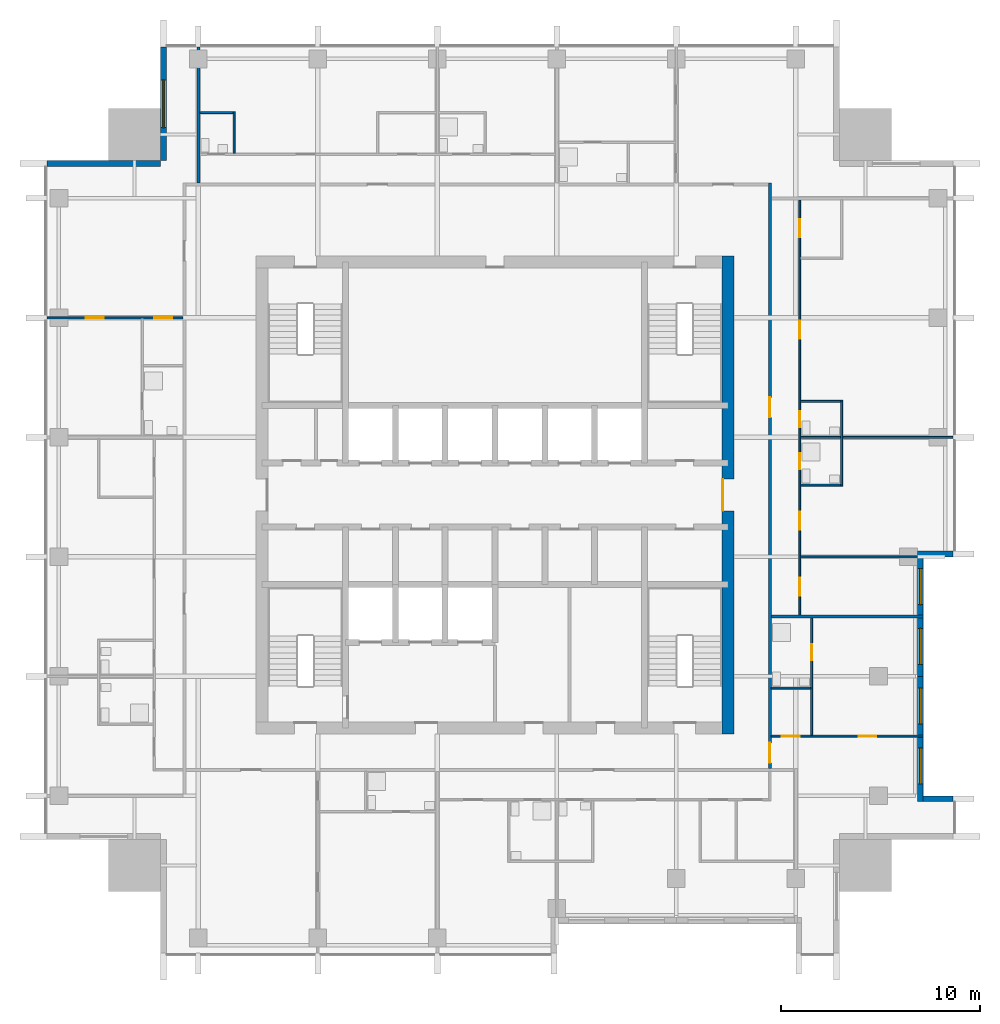
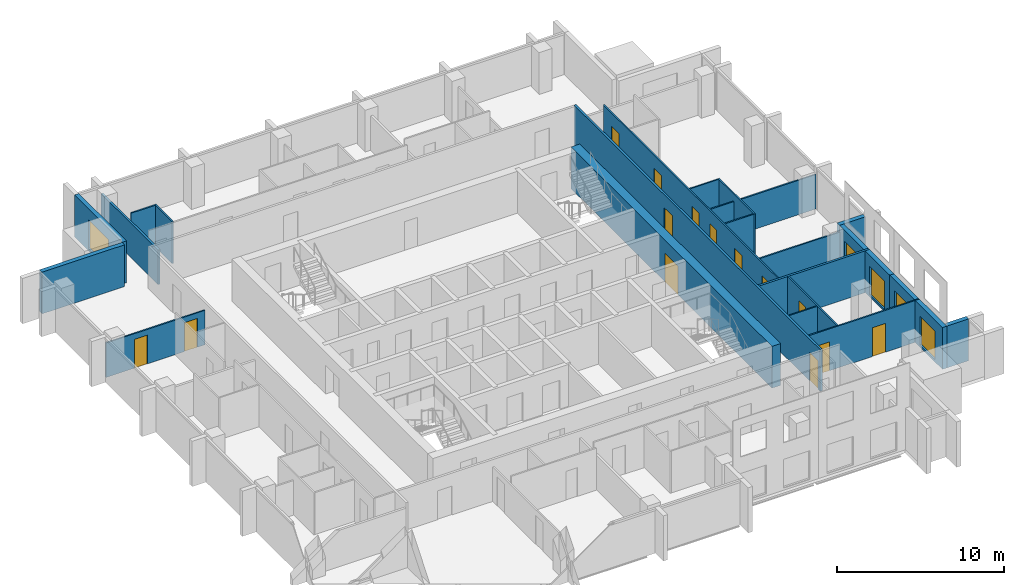
# One storey, part 6 of 11: 22 walls, 14 doors, 5 windows, 19 openings.
"""IFC4 building model written with IfcOpenShell, lengths in metres."""

from ifc_helpers import new_model, si_unit, direction, frame, frame_2d, origin, place, context, subcontext, project, spatial, rectangle, extrude, material, layer, layer_set, type_object, element, fill, save


model = new_model("IFC4")

# Units and contexts
model_context = context("Model", 3, precision=1e-05, world=origin(), true_north=direction((0.0, 1.0)))
body_context = subcontext(model_context, "Body", "Model", "MODEL_VIEW")
ifc_project = project(units=[si_unit("LENGTHUNIT", "METRE"), si_unit("AREAUNIT", "SQUARE_METRE"), si_unit("VOLUMEUNIT", "CUBIC_METRE"), si_unit("PLANEANGLEUNIT", "RADIAN"), si_unit("MASSUNIT", "GRAM", prefix="KILO")], contexts=[model_context])

# Site, building, storey
site_placement = place(None, origin())
site = spatial("IfcSite", under=ifc_project, at=site_placement, CompositionType="ELEMENT")
building_placement = place(site_placement, origin())
building = spatial("IfcBuilding", under=site, at=building_placement, Name="Amberfall Residences", CompositionType="ELEMENT")
storey_placement = place(building_placement, frame((0.0, 0.0, 223.300048828125)))
storey = spatial("IfcBuildingStorey", under=building, at=storey_placement, Name="L60", CompositionType="ELEMENT", Elevation=223.300048828125)

# Walls
ifc_material_1 = material(Name="Pale stone cladding on insulated backing", Category="masonry")
ifc_layer_1 = layer(ifc_material_1, 0.300048828125)
ifc_layer_set_1 = layer_set([ifc_layer_1], Name="Bronze clad wall 300")
wall_type_1 = type_object("IfcWallType", Name="Bronze clad wall 300", PredefinedType="SOLIDWALL", material=ifc_layer_set_1)
wall_1_placement = place(storey_placement, frame((97.5, 30.25, 0.0), z_axis=(0.0, 0.0, 1.0), x_axis=(-1.0, 0.0, 0.0)))
element("IfcWall", 1, at=wall_1_placement, inside=storey, type_object=wall_type_1, Name="External wall L60 E", PredefinedType="SOLIDWALL", context=body_context, shape_type="SweptSolid", body=[
    extrude(rectangle(XDim=1.5, YDim=0.300048828125, at=frame_2d((0.75, 0.0))), origin(), (0.0, 0.0, 1.0), 3.050048828125),
])
wall_2_placement = place(storey_placement, frame((95.699951171875, 42.550048828125, 0.0), z_axis=(0.0, 0.0, 1.0), x_axis=(1.0, 0.0, 0.0)))
element("IfcWall", 2, at=wall_2_placement, inside=storey, type_object=wall_type_1, Name="External wall L60 E", PredefinedType="SOLIDWALL", context=body_context, shape_type="SweptSolid", body=[
    extrude(rectangle(XDim=1.800048828125, YDim=0.300048828125, at=frame_2d((0.89990234375, 0.0))), origin(), (0.0, 0.0, 1.0), 3.050048828125),
])

# Wall, opening, window
wall_3_placement = place(storey_placement, frame((57.85009765625, 68.0, 0.0), z_axis=(0.0, 0.0, 1.0), x_axis=(0.0, -1.0, 0.0)))
wall_3 = element("IfcWall", 3, at=wall_3_placement, inside=storey, type_object=wall_type_1, Name="External wall L60 NW", PredefinedType="SOLIDWALL", context=body_context, shape_type="SweptSolid", body=[
    extrude(rectangle(XDim=5.699951171875, YDim=0.300048828125, at=frame_2d((2.85009765625, 0.0))), origin(), (0.0, 0.0, 1.0), 3.050048828125),
])
opening_1_placement = place(wall_3_placement, frame((1.64990234375, 0.0, 0.14990234375)))
opening_1 = element("IfcOpeningElement", 4, at=opening_1_placement, cuts=wall_3, Name="Opening WN5", PredefinedType="OPENING", context=body_context, shape_type="SweptSolid", body=[
    extrude(rectangle(XDim=2.39990234375, YDim=2.10009765625, at=frame_2d((1.199951171875, 1.050048828125))), frame((0.0, 0.159912109375, 0.0), z_axis=(0.0, -1.0, 0.0), x_axis=(1.0, 0.0, 0.0)), (0.0, 0.0, 1.0), 0.320068359375),
])
ifc_material_2 = material(Name="Bronze aluminium framed glazing", Category="aluminium")
window_type_1 = type_object("IfcWindowType", Name="Glazed opening 2400 x 2100 bronze", PartitioningType="DOUBLE_PANEL_VERTICAL", PredefinedType="WINDOW", material=ifc_material_2)
window_1_placement = place(opening_1_placement, origin())
window_1 = element("IfcWindow", 5, at=window_1_placement, inside=storey, type_object=window_type_1, Name="Window L60 NW", OverallHeight=2.10009765625, OverallWidth=2.39990234375, PartitioningType="DOUBLE_PANEL_VERTICAL", PredefinedType="WINDOW", context=body_context, shape_type="SweptSolid", body=[
    extrude(rectangle(XDim=2.39990234375, YDim=2.10009765625, at=frame_2d((1.199951171875, 1.050048828125))), frame((0.0, 0.030029296875, 0.0), z_axis=(0.0, -1.0, 0.0), x_axis=(1.0, 0.0, 0.0)), (0.0, 0.0, 1.0), 0.06005859375),
])
fill(opening_1, window_1)

# Wall
wall_4_placement = place(storey_placement, frame((57.699951171875, 62.14990234375, 0.0), z_axis=(0.0, 0.0, 1.0), x_axis=(-1.0, 0.0, 0.0)))
element("IfcWall", 6, at=wall_4_placement, inside=storey, type_object=wall_type_1, Name="External wall L60 NW", PredefinedType="SOLIDWALL", context=body_context, shape_type="SweptSolid", body=[
    extrude(rectangle(XDim=5.699951171875, YDim=0.300048828125, at=frame_2d((2.85009765625, 0.0))), origin(), (0.0, 0.0, 1.0), 3.050048828125),
])

# Wall, openings, windows
wall_5_placement = place(storey_placement, frame((95.85009765625, 30.10009765625, 0.0), z_axis=(0.0, 0.0, 1.0), x_axis=(0.0, 1.0, 0.0)))
wall_5 = element("IfcWall", 7, at=wall_5_placement, inside=storey, type_object=wall_type_1, Name="Stone wall L60 E", PredefinedType="SOLIDWALL", context=body_context, shape_type="SweptSolid", body=[
    extrude(rectangle(XDim=6.2998046875, YDim=0.300048828125, at=frame_2d((3.14990234375, 0.0))), origin(), (0.0, 0.0, 1.0), 3.050048828125),
])
opening_2_placement = place(wall_5_placement, frame((0.89990234375, 0.0, 0.14990234375)))
opening_2 = element("IfcOpeningElement", 8, at=opening_2_placement, cuts=wall_5, Name="Opening WN6", PredefinedType="OPENING", context=body_context, shape_type="SweptSolid", body=[
    extrude(rectangle(XDim=1.800048828125, YDim=2.10009765625, at=frame_2d((0.89990234375, 1.050048828125))), frame((0.0, 0.159912109375, 0.0), z_axis=(0.0, -1.0, 0.0), x_axis=(1.0, 0.0, 0.0)), (0.0, 0.0, 1.0), 0.320068359375),
])
opening_3_placement = place(wall_5_placement, frame((3.89990234375, 0.0, 0.14990234375)))
opening_3 = element("IfcOpeningElement", 9, at=opening_3_placement, cuts=wall_5, Name="Opening WN6", PredefinedType="OPENING", context=body_context, shape_type="SweptSolid", body=[
    extrude(rectangle(XDim=1.800048828125, YDim=2.10009765625, at=frame_2d((0.89990234375, 1.050048828125))), frame((0.0, 0.159912109375, 0.0), z_axis=(0.0, -1.0, 0.0), x_axis=(1.0, 0.0, 0.0)), (0.0, 0.0, 1.0), 0.320068359375),
])
window_type_2 = type_object("IfcWindowType", Name="Glazed opening 1800 x 2100 bronze", PartitioningType="DOUBLE_PANEL_VERTICAL", PredefinedType="WINDOW", material=ifc_material_2)
window_2_placement = place(opening_2_placement, origin())
window_2 = element("IfcWindow", 10, at=window_2_placement, inside=storey, type_object=window_type_2, Name="Window L60 E", OverallHeight=2.10009765625, OverallWidth=1.800048828125, PartitioningType="DOUBLE_PANEL_VERTICAL", PredefinedType="WINDOW", context=body_context, shape_type="SweptSolid", body=[
    extrude(rectangle(XDim=1.800048828125, YDim=2.10009765625, at=frame_2d((0.89990234375, 1.050048828125))), frame((0.0, 0.030029296875, 0.0), z_axis=(0.0, -1.0, 0.0), x_axis=(1.0, 0.0, 0.0)), (0.0, 0.0, 1.0), 0.06005859375),
])
fill(opening_2, window_2)
window_3_placement = place(opening_3_placement, origin())
window_3 = element("IfcWindow", 11, at=window_3_placement, inside=storey, type_object=window_type_2, Name="Window L60 E", OverallHeight=2.10009765625, OverallWidth=1.800048828125, PartitioningType="DOUBLE_PANEL_VERTICAL", PredefinedType="WINDOW", context=body_context, shape_type="SweptSolid", body=[
    extrude(rectangle(XDim=1.800048828125, YDim=2.10009765625, at=frame_2d((0.89990234375, 1.050048828125))), frame((0.0, 0.030029296875, 0.0), z_axis=(0.0, -1.0, 0.0), x_axis=(1.0, 0.0, 0.0)), (0.0, 0.0, 1.0), 0.06005859375),
])
fill(opening_3, window_3)

wall_6_placement = place(storey_placement, frame((95.85009765625, 36.39990234375, 0.0), z_axis=(0.0, 0.0, 1.0), x_axis=(0.0, 1.0, 0.0)))
wall_6 = element("IfcWall", 12, at=wall_6_placement, inside=storey, type_object=wall_type_1, Name="Stone wall L60 E", PredefinedType="SOLIDWALL", context=body_context, shape_type="SweptSolid", body=[
    extrude(rectangle(XDim=6.0, YDim=0.300048828125, at=frame_2d((3.0, 0.0))), origin(), (0.0, 0.0, 1.0), 3.050048828125),
])
opening_4_placement = place(wall_6_placement, frame((0.60009765625, 0.0, 0.14990234375)))
opening_4 = element("IfcOpeningElement", 13, at=opening_4_placement, cuts=wall_6, Name="Opening WN6", PredefinedType="OPENING", context=body_context, shape_type="SweptSolid", body=[
    extrude(rectangle(XDim=1.800048828125, YDim=2.10009765625, at=frame_2d((0.89990234375, 1.050048828125))), frame((0.0, 0.159912109375, 0.0), z_axis=(0.0, -1.0, 0.0), x_axis=(1.0, 0.0, 0.0)), (0.0, 0.0, 1.0), 0.320068359375),
])
opening_5_placement = place(wall_6_placement, frame((3.60009765625, 0.0, 0.14990234375)))
opening_5 = element("IfcOpeningElement", 14, at=opening_5_placement, cuts=wall_6, Name="Opening WN6", PredefinedType="OPENING", context=body_context, shape_type="SweptSolid", body=[
    extrude(rectangle(XDim=1.800048828125, YDim=2.10009765625, at=frame_2d((0.89990234375, 1.050048828125))), frame((0.0, 0.159912109375, 0.0), z_axis=(0.0, -1.0, 0.0), x_axis=(1.0, 0.0, 0.0)), (0.0, 0.0, 1.0), 0.320068359375),
])
window_4_placement = place(opening_4_placement, origin())
window_4 = element("IfcWindow", 15, at=window_4_placement, inside=storey, type_object=window_type_2, Name="Window L60 E", OverallHeight=2.10009765625, OverallWidth=1.800048828125, PartitioningType="DOUBLE_PANEL_VERTICAL", PredefinedType="WINDOW", context=body_context, shape_type="SweptSolid", body=[
    extrude(rectangle(XDim=1.800048828125, YDim=2.10009765625, at=frame_2d((0.89990234375, 1.050048828125))), frame((0.0, 0.030029296875, 0.0), z_axis=(0.0, -1.0, 0.0), x_axis=(1.0, 0.0, 0.0)), (0.0, 0.0, 1.0), 0.06005859375),
])
fill(opening_4, window_4)
window_5_placement = place(opening_5_placement, origin())
window_5 = element("IfcWindow", 16, at=window_5_placement, inside=storey, type_object=window_type_2, Name="Window L60 E", OverallHeight=2.10009765625, OverallWidth=1.800048828125, PartitioningType="DOUBLE_PANEL_VERTICAL", PredefinedType="WINDOW", context=body_context, shape_type="SweptSolid", body=[
    extrude(rectangle(XDim=1.800048828125, YDim=2.10009765625, at=frame_2d((0.89990234375, 1.050048828125))), frame((0.0, 0.030029296875, 0.0), z_axis=(0.0, -1.0, 0.0), x_axis=(1.0, 0.0, 0.0)), (0.0, 0.0, 1.0), 0.06005859375),
])
fill(opening_5, window_5)

# Wall, opening, door
ifc_material_3 = material(Name="Concrete C55", Category="concrete")
ifc_layer_2 = layer(ifc_material_3, 0.60009765625)
ifc_layer_set_2 = layer_set([ifc_layer_2], Name="Core wall 600 C55")
wall_type_2 = type_object("IfcWallType", Name="Core wall 600 C55", PredefinedType="SHEAR", material=ifc_layer_set_2)
wall_7_placement = place(storey_placement, frame((86.199951171875, 33.5, 0.0), z_axis=(0.0, 0.0, 1.0), x_axis=(0.0, 1.0, 0.0)))
wall_7 = element("IfcWall", 17, at=wall_7_placement, inside=storey, type_object=wall_type_2, Name="Core wall RW7 L60 OE", PredefinedType="SHEAR", context=body_context, shape_type="SweptSolid", body=[
    extrude(rectangle(XDim=24.0, YDim=0.60009765625, at=frame_2d((12.0, 0.0))), origin(), (0.0, 0.0, 1.0), 3.050048828125),
])
opening_6_placement = place(wall_7_placement, frame((11.199951171875, 0.0, 0.0)))
opening_6 = element("IfcOpeningElement", 18, at=opening_6_placement, cuts=wall_7, Name="Opening LB1", PredefinedType="OPENING", context=body_context, shape_type="SweptSolid", body=[
    extrude(rectangle(XDim=1.60009765625, YDim=2.10009765625, at=frame_2d((0.800048828125, 1.050048828125))), frame((0.0, 0.31005859375, 0.0), z_axis=(0.0, -1.0, 0.0), x_axis=(1.0, 0.0, 0.0)), (0.0, 0.0, 1.0), 0.6201171875),
])
ifc_material_4 = material(Name="Steel fire door set", Category="steel")
door_type_1 = type_object("IfcDoorType", Name="Lift lobby double door 1600 x 2100", OperationType="DOUBLE_DOOR_SINGLE_SWING", PredefinedType="DOOR", material=ifc_material_4)
door_1_placement = place(opening_6_placement, origin())
door_1 = element("IfcDoor", 19, at=door_1_placement, inside=storey, type_object=door_type_1, Name="LB1 L60", OperationType="DOUBLE_DOOR_SINGLE_SWING", OverallHeight=2.10009765625, OverallWidth=1.60009765625, PredefinedType="DOOR", context=body_context, shape_type="SweptSolid", body=[
    extrude(rectangle(XDim=1.60009765625, YDim=2.10009765625, at=frame_2d((0.800048828125, 1.050048828125))), frame((0.0, 0.28759765625, 0.0), z_axis=(0.0, -1.0, 0.0), x_axis=(1.0, 0.0, 0.0)), (0.0, 0.0, 1.0), 0.050048828125),
])
fill(opening_6, door_1)

# Wall
ifc_material_5 = material(Name="Gypsum board on metal stud")
ifc_layer_3 = layer(ifc_material_5, 0.10009765625)
ifc_layer_set_3 = layer_set([ifc_layer_3], Name="Flat partition 100")
wall_type_3 = type_object("IfcWallType", Name="Flat partition 100", PredefinedType="PARTITIONING", material=ifc_layer_set_3)
wall_8_placement = place(storey_placement, frame((61.39990234375, 62.64990234375, 0.0), z_axis=(0.0, 0.0, 1.0), x_axis=(0.0, 1.0, 0.0)))
element("IfcWall", 20, at=wall_8_placement, inside=storey, type_object=wall_type_3, Name="Partition 005", PredefinedType="PARTITIONING", context=body_context, shape_type="SweptSolid", body=[
    extrude(rectangle(XDim=2.10009765625, YDim=0.10009765625, at=frame_2d((1.050048828125, 0.0))), origin(), (0.0, 0.0, 1.0), 3.050048828125),
])

# Wall, openings, doors
wall_9_placement = place(storey_placement, frame((89.800048828125, 60.324951171875, 0.0), z_axis=(0.0, 0.0, 1.0), x_axis=(0.0, -1.0, 0.0)))
wall_9 = element("IfcWall", 21, at=wall_9_placement, inside=storey, type_object=wall_type_3, Name="Partition 019", PredefinedType="PARTITIONING", context=body_context, shape_type="SweptSolid", body=[
    extrude(rectangle(XDim=20.849853515625, YDim=0.10009765625, at=frame_2d((10.4248046875, 0.0))), origin(), (0.0, 0.0, 1.0), 3.050048828125),
])
opening_7_placement = place(wall_9_placement, frame((6.074951171875, 0.0, 0.0)))
opening_7 = element("IfcOpeningElement", 22, at=opening_7_placement, cuts=wall_9, Name="Opening D41", PredefinedType="OPENING", context=body_context, shape_type="SweptSolid", body=[
    extrude(rectangle(XDim=0.89990234375, YDim=2.10009765625, at=frame_2d((0.449951171875, 1.050048828125))), frame((0.0, 0.06005859375, 0.0), z_axis=(0.0, -1.0, 0.0), x_axis=(1.0, 0.0, 0.0)), (0.0, 0.0, 1.0), 0.1201171875),
])
opening_8_placement = place(wall_9_placement, frame((0.97509765625, 0.0, 0.0)))
opening_8 = element("IfcOpeningElement", 23, at=opening_8_placement, cuts=wall_9, Name="Opening D41", PredefinedType="OPENING", context=body_context, shape_type="SweptSolid", body=[
    extrude(rectangle(XDim=0.89990234375, YDim=2.10009765625, at=frame_2d((0.449951171875, 1.050048828125))), frame((0.0, 0.06005859375, 0.0), z_axis=(0.0, -1.0, 0.0), x_axis=(1.0, 0.0, 0.0)), (0.0, 0.0, 1.0), 0.1201171875),
])
opening_9_placement = place(wall_9_placement, frame((10.625, 0.0, 0.0)))
opening_9 = element("IfcOpeningElement", 24, at=opening_9_placement, cuts=wall_9, Name="Opening D42", PredefinedType="OPENING", context=body_context, shape_type="SweptSolid", body=[
    extrude(rectangle(XDim=0.800048828125, YDim=2.10009765625, at=frame_2d((0.39990234375, 1.050048828125))), frame((0.0, 0.06005859375, 0.0), z_axis=(0.0, -1.0, 0.0), x_axis=(1.0, 0.0, 0.0)), (0.0, 0.0, 1.0), 0.1201171875),
])
opening_10_placement = place(wall_9_placement, frame((18.97509765625, 0.0, 0.0)))
opening_10 = element("IfcOpeningElement", 25, at=opening_10_placement, cuts=wall_9, Name="Opening D41", PredefinedType="OPENING", context=body_context, shape_type="SweptSolid", body=[
    extrude(rectangle(XDim=0.89990234375, YDim=2.10009765625, at=frame_2d((0.449951171875, 1.050048828125))), frame((0.0, 0.06005859375, 0.0), z_axis=(0.0, -1.0, 0.0), x_axis=(1.0, 0.0, 0.0)), (0.0, 0.0, 1.0), 0.1201171875),
])
opening_11_placement = place(wall_9_placement, frame((15.675048828125, 0.0, 0.0)))
opening_11 = element("IfcOpeningElement", 26, at=opening_11_placement, cuts=wall_9, Name="Opening D41", PredefinedType="OPENING", context=body_context, shape_type="SweptSolid", body=[
    extrude(rectangle(XDim=0.89990234375, YDim=2.10009765625, at=frame_2d((0.449951171875, 1.050048828125))), frame((0.0, 0.06005859375, 0.0), z_axis=(0.0, -1.0, 0.0), x_axis=(1.0, 0.0, 0.0)), (0.0, 0.0, 1.0), 0.1201171875),
])
opening_12_placement = place(wall_9_placement, frame((12.72509765625, 0.0, 0.0)))
opening_12 = element("IfcOpeningElement", 27, at=opening_12_placement, cuts=wall_9, Name="Opening D42", PredefinedType="OPENING", context=body_context, shape_type="SweptSolid", body=[
    extrude(rectangle(XDim=0.800048828125, YDim=2.10009765625, at=frame_2d((0.39990234375, 1.050048828125))), frame((0.0, 0.06005859375, 0.0), z_axis=(0.0, -1.0, 0.0), x_axis=(1.0, 0.0, 0.0)), (0.0, 0.0, 1.0), 0.1201171875),
])
ifc_material_6 = material(Name="Timber", Category="wood")
door_type_2 = type_object("IfcDoorType", Name="Bathroom door 800 x 2100", OperationType="SINGLE_SWING_LEFT", PredefinedType="DOOR", material=ifc_material_6)
door_2_placement = place(opening_9_placement, origin())
door_2 = element("IfcDoor", 28, at=door_2_placement, inside=storey, type_object=door_type_2, Name="Door 6004 wc1", OperationType="SINGLE_SWING_LEFT", OverallHeight=2.10009765625, OverallWidth=0.800048828125, PredefinedType="DOOR", context=body_context, shape_type="SweptSolid", body=[
    extrude(rectangle(XDim=0.800048828125, YDim=2.10009765625, at=frame_2d((0.39990234375, 1.050048828125))), frame((0.0, 0.02490234375, 0.0), z_axis=(0.0, -1.0, 0.0), x_axis=(1.0, 0.0, 0.0)), (0.0, 0.0, 1.0), 0.050048828125),
])
fill(opening_9, door_2)
door_3_placement = place(opening_12_placement, origin())
door_3 = element("IfcDoor", 29, at=door_3_placement, inside=storey, type_object=door_type_2, Name="Door 6004 bath1", OperationType="SINGLE_SWING_LEFT", OverallHeight=2.10009765625, OverallWidth=0.800048828125, PredefinedType="DOOR", context=body_context, shape_type="SweptSolid", body=[
    extrude(rectangle(XDim=0.800048828125, YDim=2.10009765625, at=frame_2d((0.39990234375, 1.050048828125))), frame((0.0, 0.02490234375, 0.0), z_axis=(0.0, -1.0, 0.0), x_axis=(1.0, 0.0, 0.0)), (0.0, 0.0, 1.0), 0.050048828125),
])
fill(opening_12, door_3)
door_type_3 = type_object("IfcDoorType", Name="Internal door 900 x 2100", OperationType="SINGLE_SWING_LEFT", PredefinedType="DOOR", material=ifc_material_6)
door_4_placement = place(opening_7_placement, origin())
door_4 = element("IfcDoor", 30, at=door_4_placement, inside=storey, type_object=door_type_3, Name="Door 6004 living", OperationType="SINGLE_SWING_LEFT", OverallHeight=2.10009765625, OverallWidth=0.89990234375, PredefinedType="DOOR", context=body_context, shape_type="SweptSolid", body=[
    extrude(rectangle(XDim=0.89990234375, YDim=2.10009765625, at=frame_2d((0.449951171875, 1.050048828125))), frame((0.0, 0.02490234375, 0.0), z_axis=(0.0, -1.0, 0.0), x_axis=(1.0, 0.0, 0.0)), (0.0, 0.0, 1.0), 0.050048828125),
])
fill(opening_7, door_4)
door_5_placement = place(opening_8_placement, origin())
door_5 = element("IfcDoor", 31, at=door_5_placement, inside=storey, type_object=door_type_3, Name="Door 6004 kitchen", OperationType="SINGLE_SWING_LEFT", OverallHeight=2.10009765625, OverallWidth=0.89990234375, PredefinedType="DOOR", context=body_context, shape_type="SweptSolid", body=[
    extrude(rectangle(XDim=0.89990234375, YDim=2.10009765625, at=frame_2d((0.449951171875, 1.050048828125))), frame((0.0, 0.02490234375, 0.0), z_axis=(0.0, -1.0, 0.0), x_axis=(1.0, 0.0, 0.0)), (0.0, 0.0, 1.0), 0.050048828125),
])
fill(opening_8, door_5)
door_6_placement = place(opening_10_placement, origin())
door_6 = element("IfcDoor", 32, at=door_6_placement, inside=storey, type_object=door_type_3, Name="Door 6004 bedroom1", OperationType="SINGLE_SWING_LEFT", OverallHeight=2.10009765625, OverallWidth=0.89990234375, PredefinedType="DOOR", context=body_context, shape_type="SweptSolid", body=[
    extrude(rectangle(XDim=0.89990234375, YDim=2.10009765625, at=frame_2d((0.449951171875, 1.050048828125))), frame((0.0, 0.02490234375, 0.0), z_axis=(0.0, -1.0, 0.0), x_axis=(1.0, 0.0, 0.0)), (0.0, 0.0, 1.0), 0.050048828125),
])
fill(opening_10, door_6)
door_7_placement = place(opening_11_placement, origin())
door_7 = element("IfcDoor", 33, at=door_7_placement, inside=storey, type_object=door_type_3, Name="Door 6004 bedroom2", OperationType="SINGLE_SWING_LEFT", OverallHeight=2.10009765625, OverallWidth=0.89990234375, PredefinedType="DOOR", context=body_context, shape_type="SweptSolid", body=[
    extrude(rectangle(XDim=0.89990234375, YDim=2.10009765625, at=frame_2d((0.449951171875, 1.050048828125))), frame((0.0, 0.02490234375, 0.0), z_axis=(0.0, -1.0, 0.0), x_axis=(1.0, 0.0, 0.0)), (0.0, 0.0, 1.0), 0.050048828125),
])
fill(opening_11, door_7)

# Wall, opening, door
wall_10_placement = place(storey_placement, frame((90.39990234375, 33.449951171875, 0.0), z_axis=(0.0, 0.0, 1.0), x_axis=(0.0, 1.0, 0.0)))
wall_10 = element("IfcWall", 34, at=wall_10_placement, inside=storey, type_object=wall_type_3, Name="Partition 020", PredefinedType="PARTITIONING", context=body_context, shape_type="SweptSolid", body=[
    extrude(rectangle(XDim=5.875, YDim=0.10009765625, at=frame_2d((2.9375, 0.0))), origin(), (0.0, 0.0, 1.0), 3.050048828125),
])
opening_13_placement = place(wall_10_placement, frame((3.75, 0.0, 0.0)))
opening_13 = element("IfcOpeningElement", 35, at=opening_13_placement, cuts=wall_10, Name="Opening D42", PredefinedType="OPENING", context=body_context, shape_type="SweptSolid", body=[
    extrude(rectangle(XDim=0.800048828125, YDim=2.10009765625, at=frame_2d((0.39990234375, 1.050048828125))), frame((0.0, 0.06005859375, 0.0), z_axis=(0.0, -1.0, 0.0), x_axis=(1.0, 0.0, 0.0)), (0.0, 0.0, 1.0), 0.1201171875),
])
door_8_placement = place(opening_13_placement, origin())
door_8 = element("IfcDoor", 36, at=door_8_placement, inside=storey, type_object=door_type_2, Name="Door 6003 bath1", OperationType="SINGLE_SWING_LEFT", OverallHeight=2.10009765625, OverallWidth=0.800048828125, PredefinedType="DOOR", context=body_context, shape_type="SweptSolid", body=[
    extrude(rectangle(XDim=0.800048828125, YDim=2.10009765625, at=frame_2d((0.39990234375, 1.050048828125))), frame((0.0, 0.02490234375, 0.0), z_axis=(0.0, -1.0, 0.0), x_axis=(1.0, 0.0, 0.0)), (0.0, 0.0, 1.0), 0.050048828125),
])
fill(opening_13, door_8)

# Walls
wall_11_placement = place(storey_placement, frame((91.89990234375, 45.949951171875, 0.0), z_axis=(0.0, 0.0, 1.0), x_axis=(0.0, 1.0, 0.0)))
element("IfcWall", 37, at=wall_11_placement, inside=storey, type_object=wall_type_3, Name="Partition 021", PredefinedType="PARTITIONING", context=body_context, shape_type="SweptSolid", body=[
    extrude(rectangle(XDim=4.300048828125, YDim=0.10009765625, at=frame_2d((2.14990234375, 0.0))), origin(), (0.0, 0.0, 1.0), 3.050048828125),
])
wall_12_placement = place(storey_placement, frame((59.675048828125, 64.699951171875, 0.0), z_axis=(0.0, 0.0, 1.0), x_axis=(1.0, 0.0, 0.0)))
element("IfcWall", 38, at=wall_12_placement, inside=storey, type_object=wall_type_3, Name="Partition 023", PredefinedType="PARTITIONING", context=body_context, shape_type="SweptSolid", body=[
    extrude(rectangle(XDim=1.675048828125, YDim=0.10009765625, at=frame_2d((0.83740234375, 0.0))), origin(), (0.0, 0.0, 1.0), 3.050048828125),
])

# Wall, openings, doors
wall_13_placement = place(storey_placement, frame((58.824951171875, 54.39990234375, 0.0), z_axis=(0.0, 0.0, 1.0), x_axis=(-1.0, 0.0, 0.0)))
wall_13 = element("IfcWall", 39, at=wall_13_placement, inside=storey, type_object=wall_type_3, Name="Partition 028", PredefinedType="PARTITIONING", context=body_context, shape_type="SweptSolid", body=[
    extrude(rectangle(XDim=6.824951171875, YDim=0.10009765625, at=frame_2d((3.41259765625, 0.0))), origin(), (0.0, 0.0, 1.0), 2.515869140625),
])
opening_14_placement = place(wall_13_placement, frame((0.52490234375, 0.0, 0.0)))
opening_14 = element("IfcOpeningElement", 40, at=opening_14_placement, cuts=wall_13, Name="Opening D41", PredefinedType="OPENING", context=body_context, shape_type="SweptSolid", body=[
    extrude(rectangle(XDim=0.89990234375, YDim=2.10009765625, at=frame_2d((0.449951171875, 1.050048828125))), frame((0.0, 0.06005859375, 0.0), z_axis=(0.0, -1.0, 0.0), x_axis=(1.0, 0.0, 0.0)), (0.0, 0.0, 1.0), 0.1201171875),
])
opening_15_placement = place(wall_13_placement, frame((3.97509765625, 0.0, 0.0)))
opening_15 = element("IfcOpeningElement", 41, at=opening_15_placement, cuts=wall_13, Name="Opening D41", PredefinedType="OPENING", context=body_context, shape_type="SweptSolid", body=[
    extrude(rectangle(XDim=0.89990234375, YDim=2.10009765625, at=frame_2d((0.449951171875, 1.050048828125))), frame((0.0, 0.06005859375, 0.0), z_axis=(0.0, -1.0, 0.0), x_axis=(1.0, 0.0, 0.0)), (0.0, 0.0, 1.0), 0.1201171875),
])
door_9_placement = place(opening_14_placement, origin())
door_9 = element("IfcDoor", 42, at=door_9_placement, inside=storey, type_object=door_type_3, Name="Door 6008 kitchen", OperationType="SINGLE_SWING_LEFT", OverallHeight=2.10009765625, OverallWidth=0.89990234375, PredefinedType="DOOR", context=body_context, shape_type="SweptSolid", body=[
    extrude(rectangle(XDim=0.89990234375, YDim=2.10009765625, at=frame_2d((0.449951171875, 1.050048828125))), frame((0.0, 0.02490234375, 0.0), z_axis=(0.0, -1.0, 0.0), x_axis=(1.0, 0.0, 0.0)), (0.0, 0.0, 1.0), 0.050048828125),
])
fill(opening_14, door_9)
door_10_placement = place(opening_15_placement, origin())
door_10 = element("IfcDoor", 43, at=door_10_placement, inside=storey, type_object=door_type_3, Name="Door 6008 bedroom1", OperationType="SINGLE_SWING_LEFT", OverallHeight=2.10009765625, OverallWidth=0.89990234375, PredefinedType="DOOR", context=body_context, shape_type="SweptSolid", body=[
    extrude(rectangle(XDim=0.89990234375, YDim=2.10009765625, at=frame_2d((0.449951171875, 1.050048828125))), frame((0.0, 0.02490234375, 0.0), z_axis=(0.0, -1.0, 0.0), x_axis=(1.0, 0.0, 0.0)), (0.0, 0.0, 1.0), 0.050048828125),
])
fill(opening_15, door_10)

# Walls
wall_14_placement = place(storey_placement, frame((89.85009765625, 50.199951171875, 0.0), z_axis=(0.0, 0.0, 1.0), x_axis=(1.0, 0.0, 0.0)))
element("IfcWall", 44, at=wall_14_placement, inside=storey, type_object=wall_type_3, Name="Partition 030", PredefinedType="PARTITIONING", context=body_context, shape_type="SweptSolid", body=[
    extrude(rectangle(XDim=2.0, YDim=0.10009765625, at=frame_2d((1.0, 0.0))), origin(), (0.0, 0.0, 1.0), 3.050048828125),
])
wall_15_placement = place(storey_placement, frame((89.85009765625, 48.39990234375, 0.0), z_axis=(0.0, 0.0, 1.0), x_axis=(1.0, 0.0, 0.0)))
element("IfcWall", 45, at=wall_15_placement, inside=storey, type_object=wall_type_3, Name="Partition 031", PredefinedType="PARTITIONING", context=body_context, shape_type="SweptSolid", body=[
    extrude(rectangle(XDim=7.64990234375, YDim=0.10009765625, at=frame_2d((3.824951171875, 0.0))), origin(), (0.0, 0.0, 1.0), 2.515869140625),
])
wall_16_placement = place(storey_placement, frame((89.85009765625, 46.0, 0.0), z_axis=(0.0, 0.0, 1.0), x_axis=(1.0, 0.0, 0.0)))
element("IfcWall", 46, at=wall_16_placement, inside=storey, type_object=wall_type_3, Name="Partition 032", PredefinedType="PARTITIONING", context=body_context, shape_type="SweptSolid", body=[
    extrude(rectangle(XDim=2.0, YDim=0.10009765625, at=frame_2d((1.0, 0.0))), origin(), (0.0, 0.0, 1.0), 3.050048828125),
])
wall_17_placement = place(storey_placement, frame((89.85009765625, 42.39990234375, 0.0), z_axis=(0.0, 0.0, 1.0), x_axis=(1.0, 0.0, 0.0)))
element("IfcWall", 47, at=wall_17_placement, inside=storey, type_object=wall_type_3, Name="Partition 034", PredefinedType="PARTITIONING", context=body_context, shape_type="SweptSolid", body=[
    extrude(rectangle(XDim=6.14990234375, YDim=0.10009765625, at=frame_2d((3.074951171875, 0.0))), origin(), (0.0, 0.0, 1.0), 2.58984375),
])
wall_18_placement = place(storey_placement, frame((88.375, 35.800048828125, 0.0), z_axis=(0.0, 0.0, 1.0), x_axis=(1.0, 0.0, 0.0)))
element("IfcWall", 48, at=wall_18_placement, inside=storey, type_object=wall_type_3, Name="Partition 037", PredefinedType="PARTITIONING", context=body_context, shape_type="SweptSolid", body=[
    extrude(rectangle(XDim=1.97509765625, YDim=0.10009765625, at=frame_2d((0.987548828125, 0.0))), origin(), (0.0, 0.0, 1.0), 3.050048828125),
])

# Wall, openings, doors
wall_19_placement = place(storey_placement, frame((88.375, 33.39990234375, 0.0), z_axis=(0.0, 0.0, 1.0), x_axis=(1.0, 0.0, 0.0)))
wall_19 = element("IfcWall", 49, at=wall_19_placement, inside=storey, type_object=wall_type_3, Name="Partition 039", PredefinedType="PARTITIONING", context=body_context, shape_type="SweptSolid", body=[
    extrude(rectangle(XDim=7.625, YDim=0.10009765625, at=frame_2d((3.8125, 0.0))), origin(), (0.0, 0.0, 1.0), 3.050048828125),
])
opening_16_placement = place(wall_19_placement, frame((0.52490234375, 0.0, 0.0)))
opening_16 = element("IfcOpeningElement", 50, at=opening_16_placement, cuts=wall_19, Name="Opening D41", PredefinedType="OPENING", context=body_context, shape_type="SweptSolid", body=[
    extrude(rectangle(XDim=0.89990234375, YDim=2.10009765625, at=frame_2d((0.449951171875, 1.050048828125))), frame((0.0, 0.06005859375, 0.0), z_axis=(0.0, -1.0, 0.0), x_axis=(1.0, 0.0, 0.0)), (0.0, 0.0, 1.0), 0.1201171875),
])
opening_17_placement = place(wall_19_placement, frame((4.375, 0.0, 0.0)))
opening_17 = element("IfcOpeningElement", 51, at=opening_17_placement, cuts=wall_19, Name="Opening D41", PredefinedType="OPENING", context=body_context, shape_type="SweptSolid", body=[
    extrude(rectangle(XDim=0.89990234375, YDim=2.10009765625, at=frame_2d((0.449951171875, 1.050048828125))), frame((0.0, 0.06005859375, 0.0), z_axis=(0.0, -1.0, 0.0), x_axis=(1.0, 0.0, 0.0)), (0.0, 0.0, 1.0), 0.1201171875),
])
door_11_placement = place(opening_16_placement, origin())
door_11 = element("IfcDoor", 52, at=door_11_placement, inside=storey, type_object=door_type_3, Name="Door 6003 kitchen", OperationType="SINGLE_SWING_LEFT", OverallHeight=2.10009765625, OverallWidth=0.89990234375, PredefinedType="DOOR", context=body_context, shape_type="SweptSolid", body=[
    extrude(rectangle(XDim=0.89990234375, YDim=2.10009765625, at=frame_2d((0.449951171875, 1.050048828125))), frame((0.0, 0.02490234375, 0.0), z_axis=(0.0, -1.0, 0.0), x_axis=(1.0, 0.0, 0.0)), (0.0, 0.0, 1.0), 0.050048828125),
])
fill(opening_16, door_11)
door_12_placement = place(opening_17_placement, origin())
door_12 = element("IfcDoor", 53, at=door_12_placement, inside=storey, type_object=door_type_3, Name="Door 6003 bedroom1", OperationType="SINGLE_SWING_LEFT", OverallHeight=2.10009765625, OverallWidth=0.89990234375, PredefinedType="DOOR", context=body_context, shape_type="SweptSolid", body=[
    extrude(rectangle(XDim=0.89990234375, YDim=2.10009765625, at=frame_2d((0.449951171875, 1.050048828125))), frame((0.0, 0.02490234375, 0.0), z_axis=(0.0, -1.0, 0.0), x_axis=(1.0, 0.0, 0.0)), (0.0, 0.0, 1.0), 0.050048828125),
])
fill(opening_17, door_12)

# Wall
ifc_material_7 = material(Name="Blockwork, plastered", Category="masonry")
ifc_layer_4 = layer(ifc_material_7, 0.14990234375)
ifc_layer_set_4 = layer_set([ifc_layer_4], Name="Flat separating wall 150")
wall_type_4 = type_object("IfcWallType", Name="Flat separating wall 150", PredefinedType="PARTITIONING", material=ifc_layer_set_4)
wall_20_placement = place(storey_placement, frame((59.60009765625, 61.175048828125, 0.0), z_axis=(0.0, 0.0, 1.0), x_axis=(0.0, 1.0, 0.0)))
element("IfcWall", 54, at=wall_20_placement, inside=storey, type_object=wall_type_4, Name="Separating wall 046", PredefinedType="PARTITIONING", context=body_context, shape_type="SweptSolid", body=[
    extrude(rectangle(XDim=6.824951171875, YDim=0.14990234375, at=frame_2d((3.41259765625, 0.0))), origin(), (0.0, 0.0, 1.0), 2.510009765625),
])

# Wall, openings, doors
wall_21_placement = place(storey_placement, frame((88.300048828125, 61.175048828125, 0.0), z_axis=(0.0, 0.0, 1.0), x_axis=(0.0, -1.0, 0.0)))
wall_21 = element("IfcWall", 55, at=wall_21_placement, inside=storey, type_object=wall_type_4, Name="Separating wall 049", PredefinedType="PARTITIONING", context=body_context, shape_type="SweptSolid", body=[
    extrude(rectangle(XDim=29.400146484375, YDim=0.14990234375, at=frame_2d((14.7001953125, 0.0))), origin(), (0.0, 0.0, 1.0), 3.050048828125),
])
opening_18_placement = place(wall_21_placement, frame((28.125, 0.0, 0.0)))
opening_18 = element("IfcOpeningElement", 56, at=opening_18_placement, cuts=wall_21, Name="Opening D40", PredefinedType="OPENING", context=body_context, shape_type="SweptSolid", body=[
    extrude(rectangle(XDim=1.0, YDim=2.10009765625, at=frame_2d((0.5, 1.050048828125))), frame((0.0, 0.0849609375, 0.0), z_axis=(0.0, -1.0, 0.0), x_axis=(1.0, 0.0, 0.0)), (0.0, 0.0, 1.0), 0.169921875),
])
opening_19_placement = place(wall_21_placement, frame((10.77490234375, 0.0, 0.0)))
opening_19 = element("IfcOpeningElement", 57, at=opening_19_placement, cuts=wall_21, Name="Opening D40", PredefinedType="OPENING", context=body_context, shape_type="SweptSolid", body=[
    extrude(rectangle(XDim=1.0, YDim=2.10009765625, at=frame_2d((0.5, 1.050048828125))), frame((0.0, 0.0849609375, 0.0), z_axis=(0.0, -1.0, 0.0), x_axis=(1.0, 0.0, 0.0)), (0.0, 0.0, 1.0), 0.169921875),
])
ifc_material_8 = material(Name="Timber, fire-rated", Category="wood")
door_type_4 = type_object("IfcDoorType", Name="Flat entrance door FD60 1000 x 2100", OperationType="SINGLE_SWING_LEFT", PredefinedType="DOOR", material=ifc_material_8)
door_13_placement = place(opening_18_placement, origin())
door_13 = element("IfcDoor", 58, at=door_13_placement, inside=storey, type_object=door_type_4, Name="Door 6003 entrance", OperationType="SINGLE_SWING_LEFT", OverallHeight=2.10009765625, OverallWidth=1.0, PredefinedType="DOOR", context=body_context, shape_type="SweptSolid", body=[
    extrude(rectangle(XDim=1.0, YDim=2.10009765625, at=frame_2d((0.5, 1.050048828125))), frame((0.0, 0.02490234375, 0.0), z_axis=(0.0, -1.0, 0.0), x_axis=(1.0, 0.0, 0.0)), (0.0, 0.0, 1.0), 0.050048828125),
])
fill(opening_18, door_13)
door_14_placement = place(opening_19_placement, origin())
door_14 = element("IfcDoor", 59, at=door_14_placement, inside=storey, type_object=door_type_4, Name="Door 6004 entrance", OperationType="SINGLE_SWING_LEFT", OverallHeight=2.10009765625, OverallWidth=1.0, PredefinedType="DOOR", context=body_context, shape_type="SweptSolid", body=[
    extrude(rectangle(XDim=1.0, YDim=2.10009765625, at=frame_2d((0.5, 1.050048828125))), frame((0.0, 0.02490234375, 0.0), z_axis=(0.0, -1.0, 0.0), x_axis=(1.0, 0.0, 0.0)), (0.0, 0.0, 1.0), 0.050048828125),
])
fill(opening_19, door_14)

# Wall
wall_22_placement = place(storey_placement, frame((88.375, 39.39990234375, 0.0), z_axis=(0.0, 0.0, 1.0), x_axis=(1.0, 0.0, 0.0)))
element("IfcWall", 60, at=wall_22_placement, inside=storey, type_object=wall_type_4, Name="Separating wall 054", PredefinedType="PARTITIONING", context=body_context, shape_type="SweptSolid", body=[
    extrude(rectangle(XDim=7.625, YDim=0.14990234375, at=frame_2d((3.8125, 0.0))), origin(), (0.0, 0.0, 1.0), 3.050048828125),
])

save(model, "model.ifc")
